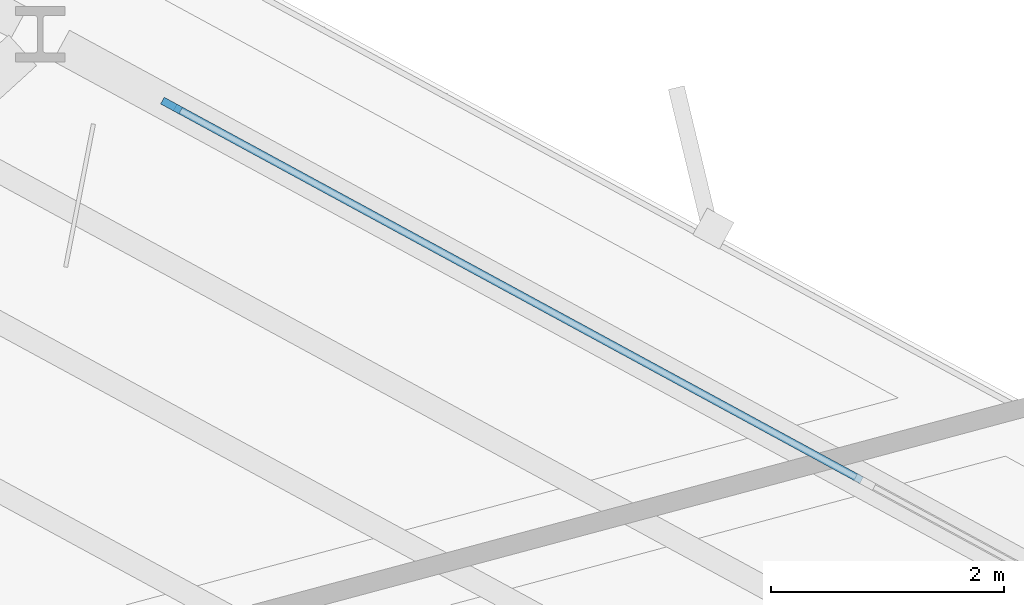
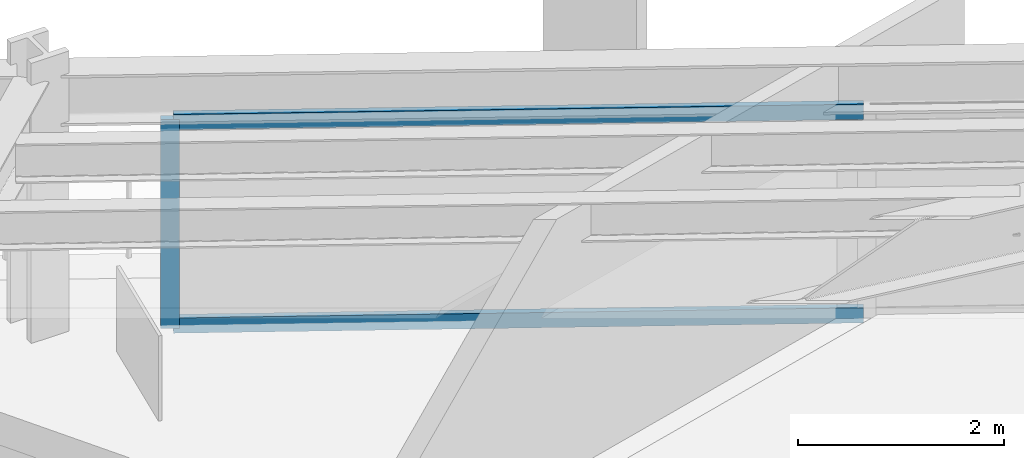
# One storey, part 6 of 14: 3 members, 1 element without a shape of its own.
"""IFC4 building model written with IfcOpenShell, lengths in metres."""

from ifc_helpers import new_model, si_unit, direction, frame, origin, origin_2d, place, context, subcontext, project, spatial, rectangle, extrude, material, layer, layer_set, material_profile, profile_set, type_object, element, aggregate, save


model = new_model("IFC4")

# Units and contexts
model_context = context("Model", 3, precision=1e-05, world=origin(), true_north=direction((0.0, 1.0)))
body_context = subcontext(model_context, "Body", "Model", "MODEL_VIEW")
ifc_project = project(units=[si_unit("LENGTHUNIT", "METRE"), si_unit("AREAUNIT", "SQUARE_METRE"), si_unit("VOLUMEUNIT", "CUBIC_METRE"), si_unit("PLANEANGLEUNIT", "RADIAN"), si_unit("MASSUNIT", "GRAM", prefix="KILO")], contexts=[model_context])

# Site, building, storey
site_placement = place(None, origin())
site = spatial("IfcSite", under=ifc_project, at=site_placement, CompositionType="ELEMENT")
building_placement = place(site_placement, origin())
building = spatial("IfcBuilding", under=site, at=building_placement, Name="Rocaltana Carrier Exchange", CompositionType="ELEMENT")
storey_placement = place(building_placement, frame((0.0, 0.0, 35.679931640625)))
storey = spatial("IfcBuildingStorey", under=building, at=storey_placement, Name="L11", CompositionType="ELEMENT", Elevation=35.679931640625)

# Curtain wall, members
ifc_material_1 = material(Name="Aluminium 6063-T6", Category="aluminium")
ifc_layer = layer(ifc_material_1, 0.179931640625)
ifc_layer_set = layer_set([ifc_layer], Name="Aluminium 6063-T6")
curtain_wall_type = type_object("IfcCurtainWallType", Name="Sandstone Spandrel Unitised Curtain Wall CW-01", PredefinedType="NOTDEFINED", material=ifc_layer_set)
curtain_wall_placement = place(storey_placement, origin())
curtain_wall = element("IfcCurtainWall", 1, at=curtain_wall_placement, inside=storey, type_object=curtain_wall_type, Name="L11 CW-01 Run CW-L11-F1S1", PredefinedType="NOTDEFINED")
ifc_material_2 = material(Name="Aluminium 6063-T6", Category="aluminium")
ifc_material_profile_1 = material_profile(ifc_material_2, rectangle(XDim=0.06494140625, YDim=0.179931640625, at=origin_2d()), Name="AL-65X180")
ifc_profile_set_1 = profile_set([ifc_material_profile_1], Name="Aluminium 6063-T6")
member_type_1 = type_object("IfcMemberType", Name="CW-01 Mullion AL-65X180", PredefinedType="MULLION", material=ifc_profile_set_1)
member_1_placement = place(storey_placement, frame((15.31884765625, 8.6552734375, 0.0), z_axis=(0.0, 0.0, 1.0), x_axis=(-0.477161473226, -0.878815639636, 0.0)))
member_1 = element("IfcMember", 2, at=member_1_placement, type_object=member_type_1, Name="CW-01 mullion 3", PredefinedType="MULLION", context=body_context, shape_type="SweptSolid", body=[
    extrude(rectangle(XDim=0.06494140625, YDim=0.179931640625, at=origin_2d()), origin(), (0.0, 0.0, 1.0), 2.47802734375),
])
ifc_material_3 = material(Name="Aluminium 6063-T6", Category="aluminium")
ifc_material_profile_2 = material_profile(ifc_material_3, rectangle(XDim=0.06494140625, YDim=0.179931640625, at=origin_2d()), Name="AL-65X180")
ifc_profile_set_2 = profile_set([ifc_material_profile_2], Name="Aluminium 6063-T6")
member_type_2 = type_object("IfcMemberType", Name="CW-01 Transom AL-65X180", PredefinedType="USERDEFINED", material=ifc_profile_set_2)
member_2_placement = place(storey_placement, frame((21.237548828125, 5.44140625, 0.032470703125), z_axis=(-0.87880717191, 0.477177068392, 0.0), x_axis=(-0.477177068392, -0.87880717191, 0.0)))
member_2 = element("IfcMember", 3, at=member_2_placement, type_object=member_type_2, Name="CW-01 transom 2.1", ObjectType="TRANSOM", PredefinedType="USERDEFINED", context=body_context, shape_type="SweptSolid", body=[
    extrude(rectangle(XDim=0.06494140625, YDim=0.179931640625, at=origin_2d()), origin(), (0.0, 0.0, 1.0), 6.702392578125),
])
member_3_placement = place(storey_placement, frame((21.237548828125, 5.44140625, 2.445556640625), z_axis=(-0.87880717191, 0.477177068392, 0.0), x_axis=(-0.477177068392, -0.87880717191, 0.0)))
member_3 = element("IfcMember", 4, at=member_3_placement, type_object=member_type_2, Name="CW-01 transom 2.2", ObjectType="TRANSOM", PredefinedType="USERDEFINED", context=body_context, shape_type="SweptSolid", body=[
    extrude(rectangle(XDim=0.06494140625, YDim=0.179931640625, at=origin_2d()), origin(), (0.0, 0.0, 1.0), 6.702392578125),
])
aggregate(curtain_wall, [member_1, member_2, member_3])

save(model, "model.ifc")
